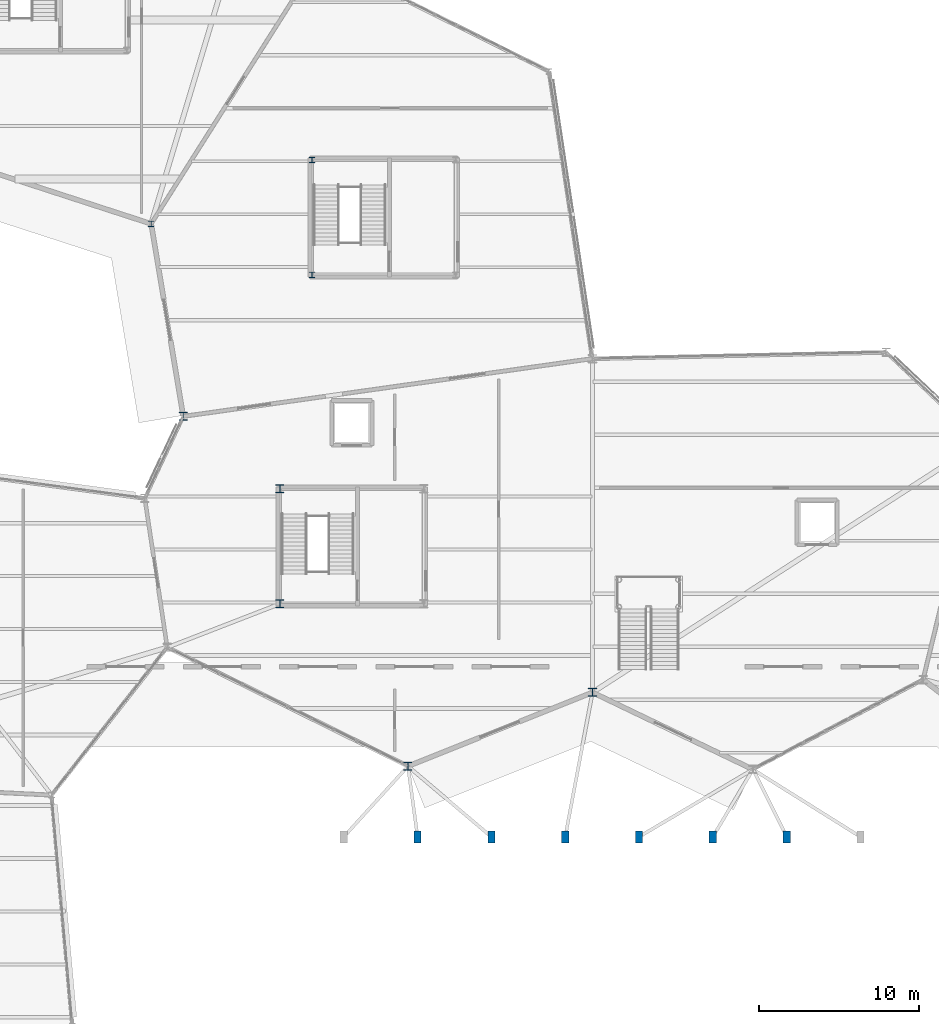
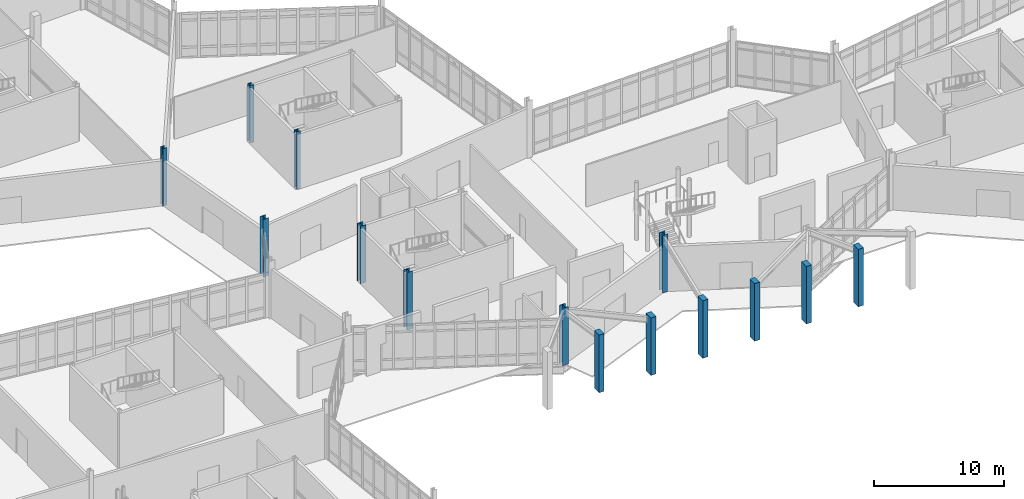
# One storey, part 8 of 113: 14 columns.
"""IFC4 building model written with IfcOpenShell, lengths in metres."""

from ifc_helpers import new_model, si_unit, direction, frame, origin, origin_2d, place, context, subcontext, project, spatial, rectangle, i_section, extrude, material, material_profile, profile_set, type_object, element, save


model = new_model("IFC4")

# Units and contexts
model_context = context("Model", 3, precision=1e-05, world=origin(), true_north=direction((0.0, 1.0)))
body_context = subcontext(model_context, "Body", "Model", "MODEL_VIEW")
ifc_project = project(units=[si_unit("LENGTHUNIT", "METRE"), si_unit("AREAUNIT", "SQUARE_METRE"), si_unit("VOLUMEUNIT", "CUBIC_METRE"), si_unit("PLANEANGLEUNIT", "RADIAN"), si_unit("MASSUNIT", "GRAM", prefix="KILO")], contexts=[model_context])

# Site, building, storey
site_placement = place(None, origin())
site = spatial("IfcSite", under=ifc_project, at=site_placement, CompositionType="ELEMENT")
building_placement = place(site_placement, origin())
building = spatial("IfcBuilding", under=site, at=building_placement, Name="Tameran Prism Museum", CompositionType="ELEMENT")
storey_placement = place(building_placement, origin())
storey = spatial("IfcBuildingStorey", under=building, at=storey_placement, Name="L00", CompositionType="ELEMENT", Elevation=0.0)

# Columns
ifc_material_1 = material(Name="Concrete N40 (40 MPa)", Category="concrete")
ifc_material_profile_1 = material_profile(ifc_material_1, rectangle(XDim=0.449951171875, YDim=0.75, at=origin_2d()))
ifc_profile_set_1 = profile_set([ifc_material_profile_1])
column_type_1 = type_object("IfcColumnType", Name="COL-PIL450", PredefinedType="PILASTER", material=ifc_profile_set_1)
for number, where, z_axis, x_axis, name in (
    (1, (66.60009765625, 18.39990234375, 0.0), (0.0, 0.0, 1.0), (1.0, 0.0, 0.0), "Column CP-02 L00"),
    (2, (71.199951171875, 18.39990234375, 0.0), (0.0, 0.0, 1.0), (1.0, 0.0, 0.0), "Column CP-03 L00"),
    (3, (75.800048828125, 18.39990234375, 0.0), (0.0, 0.0, 1.0), (1.0, 0.0, 0.0), "Column CP-04 L00"),
    (4, (80.39990234375, 18.39990234375, 0.0), (0.0, 0.0, 1.0), (1.0, 0.0, 0.0), "Column CP-05 L00"),
    (5, (85.0, 18.39990234375, 0.0), (0.0, 0.0, 1.0), (1.0, 0.0, 0.0), "Column CP-06 L00"),
    (6, (89.60009765625, 18.39990234375, 0.0), (0.0, 0.0, 1.0), (1.0, 0.0, 0.0), "Column CP-07 L00"),
):
    element("IfcColumn", number, at=place(storey_placement, frame(where, z_axis=z_axis, x_axis=x_axis)), inside=storey, type_object=column_type_1, Name=name, PredefinedType="PILASTER", context=body_context, shape_type="SweptSolid", body=[
        extrude(rectangle(XDim=0.449951171875, YDim=0.75, at=origin_2d()), origin(), (0.0, 0.0, 1.0), 5.39990234375),
    ])
ifc_material_2 = material(Name="Steel Grade 350 (350 MPa)", Category="steel")
ifc_material_profile_2 = material_profile(ifc_material_2, i_section(OverallWidth=0.35009765625, OverallDepth=0.35009765625, WebThickness=0.02001953125, FlangeThickness=0.028076171875, at=origin_2d()))
ifc_profile_set_2 = profile_set([ifc_material_profile_2])
column_type_2 = type_object("IfcColumnType", Name="COL-WC350", PredefinedType="COLUMN", material=ifc_profile_set_2)
for number, where, z_axis, x_axis, name in (
    (7, (50.0, 56.60009765625, 0.0), (0.0, 0.0, 1.0), (1.0, 0.0, 0.0), "Column CV-26 L00"),
    (8, (60.02001953125, 53.419921875, 0.0), (0.0, 0.0, 1.0), (1.0, 0.0, 0.0), "Column CC-8-1 L00"),
    (9, (60.02001953125, 60.580078125, 0.0), (0.0, 0.0, 1.0), (1.0, 0.0, 0.0), "Column CC-8-4 L00"),
):
    element("IfcColumn", number, at=place(storey_placement, frame(where, z_axis=z_axis, x_axis=x_axis)), inside=storey, type_object=column_type_2, Name=name, PredefinedType="COLUMN", context=body_context, shape_type="SweptSolid", body=[
        extrude(i_section(OverallWidth=0.35009765625, OverallDepth=0.35009765625, WebThickness=0.02001953125, FlangeThickness=0.028076171875, at=origin_2d()), origin(), (0.0, 0.0, 1.0), 5.39990234375),
    ])
ifc_material_3 = material(Name="Steel Grade 350 (350 MPa)", Category="steel")
ifc_material_profile_3 = material_profile(ifc_material_3, i_section(OverallWidth=0.5, OverallDepth=0.5, WebThickness=0.02197265625, FlangeThickness=0.035888671875, at=origin_2d()))
ifc_profile_set_3 = profile_set([ifc_material_profile_3])
column_type_3 = type_object("IfcColumnType", Name="COL-WC500", PredefinedType="COLUMN", material=ifc_profile_set_3)
for number, where, z_axis, x_axis, name in (
    (10, (52.0, 44.60009765625, 0.0), (0.0, 0.0, 1.0), (1.0, 0.0, 0.0), "Column CV-28 L00"),
    (11, (66.0, 22.800048828125, 0.0), (0.0, 0.0, 1.0), (1.0, 0.0, 0.0), "Column CV-32 L00"),
    (12, (77.5, 27.39990234375, 0.0), (0.0, 0.0, 1.0), (1.0, 0.0, 0.0), "Column CV-34 L00"),
    (13, (58.02001953125, 32.919921875, 0.0), (0.0, 0.0, 1.0), (1.0, 0.0, 0.0), "Column CC-3-1 L00"),
    (14, (58.02001953125, 40.080078125, 0.0), (0.0, 0.0, 1.0), (1.0, 0.0, 0.0), "Column CC-3-4 L00"),
):
    element("IfcColumn", number, at=place(storey_placement, frame(where, z_axis=z_axis, x_axis=x_axis)), inside=storey, type_object=column_type_3, Name=name, PredefinedType="COLUMN", context=body_context, shape_type="SweptSolid", body=[
        extrude(i_section(OverallWidth=0.5, OverallDepth=0.5, WebThickness=0.02197265625, FlangeThickness=0.035888671875, at=origin_2d()), origin(), (0.0, 0.0, 1.0), 5.39990234375),
    ])

save(model, "model.ifc")
